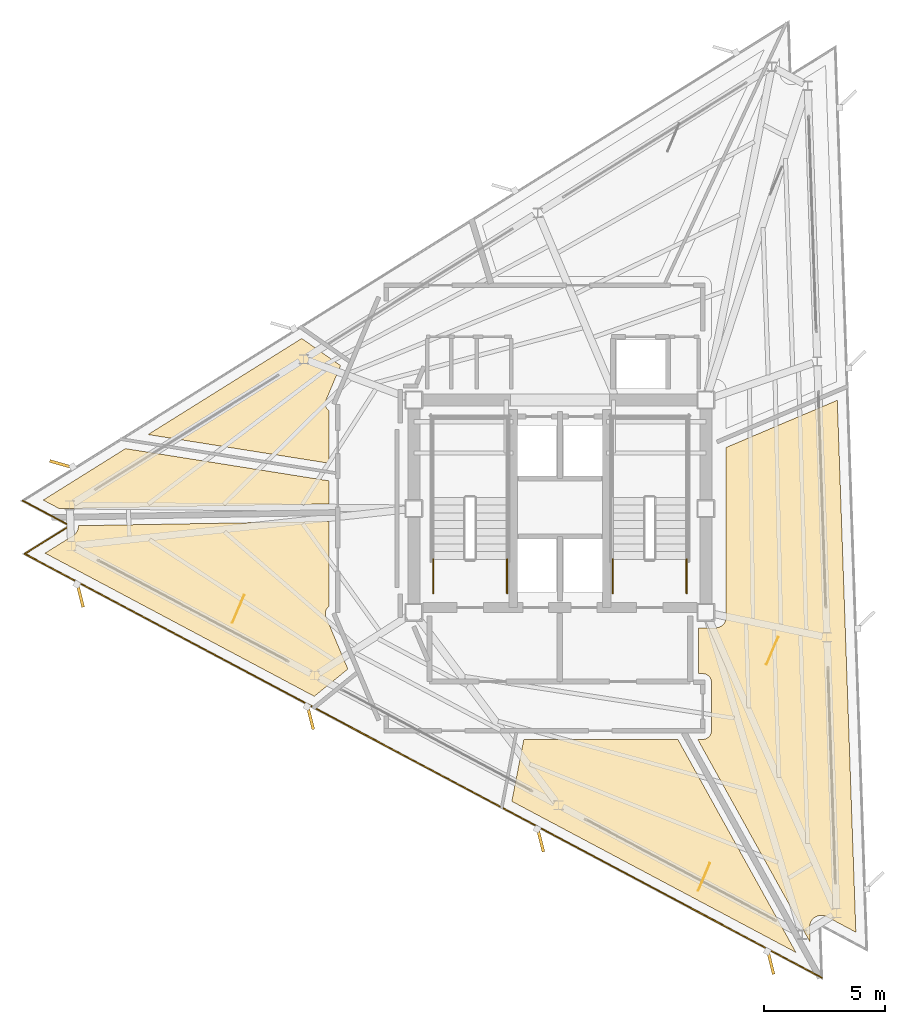
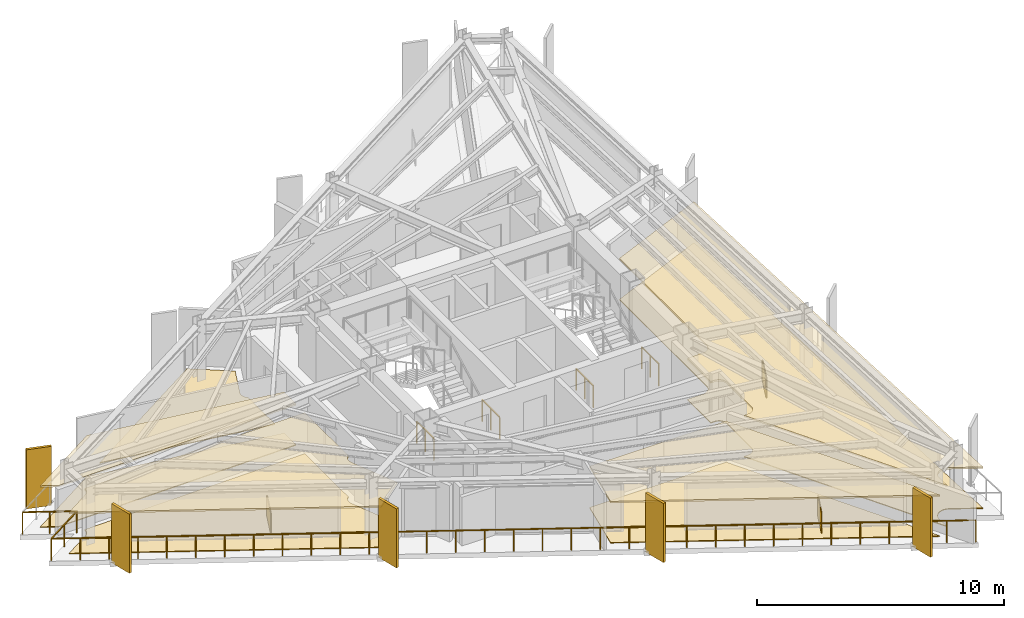
# One storey, part 11 of 13: 12 coverings, 5 railings, 5 shading devices.
"""IFC4 building model written with IfcOpenShell, lengths in metres."""

from ifc_helpers import new_model, si_unit, direction, frame, origin, origin_2d, place, context, subcontext, project, spatial, polyline, rectangle, outline, extrude, material, layer, layer_set, type_object, element, save


model = new_model("IFC4")

# Units and contexts
model_context = context("Model", 3, precision=1e-05, world=origin(), true_north=direction((0.0, 1.0)))
body_context = subcontext(model_context, "Body", "Model", "MODEL_VIEW")
ifc_project = project(units=[si_unit("LENGTHUNIT", "METRE"), si_unit("AREAUNIT", "SQUARE_METRE"), si_unit("VOLUMEUNIT", "CUBIC_METRE"), si_unit("PLANEANGLEUNIT", "RADIAN"), si_unit("MASSUNIT", "GRAM", prefix="KILO")], contexts=[model_context])

# Site, building, storey
site_placement = place(None, origin())
site = spatial("IfcSite", under=ifc_project, at=site_placement, CompositionType="ELEMENT")
building_placement = place(site_placement, origin())
building = spatial("IfcBuilding", under=site, at=building_placement, Name="Rocaltana Carrier Exchange", CompositionType="ELEMENT")
storey_placement = place(building_placement, frame((0.0, 0.0, 199.679931640625)))
storey = spatial("IfcBuildingStorey", under=building, at=storey_placement, Name="L63", CompositionType="ELEMENT", Elevation=199.679931640625)

# Coverings
ifc_material_1 = material(Name="Honed Bogota Sandstone Tile", Category="masonry")
ifc_layer_1 = layer(ifc_material_1, 0.0400390625)
ifc_layer_set_1 = layer_set([ifc_layer_1], Name="Honed Bogota Sandstone Tile")
covering_type_1 = type_object("IfcCoveringType", Name="Honed Stone Lobby Flooring 40", PredefinedType="FLOORING", material=ifc_layer_set_1)
covering_1_placement = place(storey_placement, origin())
element("IfcCovering", 1, at=covering_1_placement, inside=storey, type_object=covering_type_1, Name="L63 Peering Conference Room Finish Floor", PredefinedType="FLOORING", context=body_context, shape_type="SweptSolid", body=[
    extrude(outline(polyline([(-20.17138671875, -1.120361328125), (-20.15966796875, -1.11279296875), (-20.143310546875, -1.101318359375), (-20.121337890625, -1.084228515625), (-20.106201171875, -1.0712890625), (-20.085693359375, -1.052001953125), (-20.072021484375, -1.03759765625), (-20.0537109375, -1.0166015625), (-20.04150390625, -1.000732421875), (-20.025390625, -0.97802734375), (-20.014892578125, -0.961181640625), (-20.001220703125, -0.936767578125), (-19.9921875, -0.9189453125), (-19.98095703125, -0.893310546875), (-19.973876953125, -0.874755859375), (-19.965087890625, -0.848388671875), (-19.9599609375, -0.8291015625), (-19.9541015625, -0.8017578125), (-19.95068359375, -0.781982421875), (-19.947509765625, -0.75439453125), (-19.9462890625, -0.734375), (-19.94580078125, -0.708251953125), (-9.56005859375, -0.52685546875), (-9.56005859375, -4.052001953125), (-9.57177734375, -4.06005859375), (-9.578125, -4.064697265625), (-9.59912109375, -4.082275390625), (-9.60498046875, -4.087646484375), (-9.624267578125, -4.107177734375), (-9.629638671875, -4.113037109375), (-9.64697265625, -4.134521484375), (-9.651611328125, -4.140625), (-9.666748046875, -4.16357421875), (-9.670654296875, -4.17041015625), (-9.68359375, -4.194580078125), (-9.686767578125, -4.201904296875), (-9.697265625, -4.227294921875), (-9.69970703125, -4.234619140625), (-9.70751953125, -4.260986328125), (-9.70947265625, -4.2685546875), (-9.714599609375, -4.295654296875), (-9.7158203125, -4.30322265625), (-9.718505859375, -4.330810546875), (-9.71875, -4.33837890625), (-9.718505859375, -4.365966796875), (-9.71826171875, -4.373779296875), (-9.71533203125, -4.401123046875), (-9.714111328125, -4.408935546875), (-9.70849609375, -4.435791015625), (-9.706787109375, -4.443603515625), (-9.698486328125, -4.4697265625), (-9.69580078125, -4.47705078125), (-9.69091796875, -4.489990234375), (-8.782958984375, -6.649169921875), (-10.17626953125, -7.77734375), (-21.33203125, -1.845703125), (-20.17138671875, -1.120361328125)])), origin(), (0.0, 0.0, 1.0), 0.0400390625),
])
covering_2_placement = place(storey_placement, origin())
element("IfcCovering", 2, at=covering_2_placement, inside=storey, type_object=covering_type_1, Name="L63 Peering Conference Room Finish Floor", PredefinedType="FLOORING", context=body_context, shape_type="SweptSolid", body=[
    extrude(outline(polyline([(-1.990966796875, -12.12939453125), (-1.491455078125, -9.56005859375), (4.8876953125, -9.56005859375), (9.781494140625, -18.388916015625), (-1.990966796875, -12.12939453125)])), origin(), (0.0, 0.0, 1.0), 0.0400390625),
])
covering_3_placement = place(storey_placement, origin())
element("IfcCovering", 3, at=covering_3_placement, inside=storey, type_object=covering_type_1, Name="L63 Optical Switching Laboratory Finish Floor", PredefinedType="FLOORING", context=body_context, shape_type="SweptSolid", body=[
    extrude(outline(polyline([(5.739990234375, -6.840087890625), (5.739990234375, -4.93994140625), (6.449951171875, -4.93994140625), (6.463623046875, -4.939697265625), (6.4794921875, -4.93896484375), (6.5068359375, -4.936279296875), (6.522216796875, -4.933837890625), (6.54931640625, -4.928466796875), (6.564453125, -4.9248046875), (6.5908203125, -4.916748046875), (6.605712890625, -4.91162109375), (6.630859375, -4.90087890625), (6.64501953125, -4.894287109375), (6.66943359375, -4.88134765625), (6.682861328125, -4.873291015625), (6.705810546875, -4.85791015625), (6.71826171875, -4.8486328125), (6.739501953125, -4.8310546875), (6.751220703125, -4.820556640625), (6.7705078125, -4.80126953125), (6.781005859375, -4.78955078125), (6.798583984375, -4.768310546875), (6.807861328125, -4.755615234375), (6.8232421875, -4.73291015625), (6.831298828125, -4.719482421875), (6.84423828125, -4.695068359375), (6.850830078125, -4.680908203125), (6.861572265625, -4.655517578125), (6.86669921875, -4.640869140625), (6.874755859375, -4.614501953125), (6.87841796875, -4.59912109375), (6.8837890625, -4.572265625), (6.88623046875, -4.556884765625), (6.888916015625, -4.529296875), (6.8896484375, -4.513671875), (6.889892578125, -4.5), (6.889892578125, 2.533447265625), (11.494873046875, 4.488037109375), (12.264404296875, -17.55126953125), (11.055908203125, -16.90869140625), (11.04345703125, -16.902587890625), (11.025390625, -16.89404296875), (10.99951171875, -16.883544921875), (10.980712890625, -16.876708984375), (10.9541015625, -16.868896484375), (10.9345703125, -16.8642578125), (10.9072265625, -16.85888671875), (10.887451171875, -16.856201171875), (10.859619140625, -16.853515625), (10.83984375, -16.852783203125), (10.81201171875, -16.85302734375), (10.7919921875, -16.854248046875), (10.76416015625, -16.857421875), (10.744384765625, -16.860595703125), (10.71728515625, -16.8662109375), (10.697998046875, -16.871337890625), (10.67138671875, -16.8798828125), (10.652587890625, -16.886962890625), (10.627197265625, -16.89794921875), (10.609130859375, -16.906982421875), (10.584716796875, -16.92041015625), (10.56787109375, -16.930908203125), (10.544921875, -16.947021484375), (10.529296875, -16.959228515625), (10.508056640625, -16.977294921875), (10.49365234375, -16.990966796875), (10.474365234375, -17.01123046875), (10.461181640625, -17.0263671875), (10.444091796875, -17.04833984375), (10.4326171875, -17.064697265625), (10.41748046875, -17.088134765625), (10.407958984375, -17.105712890625), (10.3955078125, -17.130615234375), (10.38720703125, -17.148681640625), (10.37744140625, -17.1748046875), (10.37109375, -17.19384765625), (10.364013671875, -17.220703125), (10.359619140625, -17.240234375), (10.35498046875, -17.267822265625), (10.352783203125, -17.28759765625), (10.35107421875, -17.3154296875), (10.350830078125, -17.33544921875), (10.350830078125, -17.349365234375), (10.37255859375, -17.97021484375), (5.710693359375, -9.56005859375), (5.919921875, -9.56005859375), (5.93359375, -9.559814453125), (5.941650390625, -9.559326171875), (5.968994140625, -9.556640625), (5.976806640625, -9.555419921875), (6.003662109375, -9.550048828125), (6.01123046875, -9.548095703125), (6.03759765625, -9.540283203125), (6.044921875, -9.53759765625), (6.0703125, -9.527099609375), (6.077392578125, -9.523681640625), (6.101806640625, -9.5107421875), (6.1083984375, -9.506591796875), (6.131103515625, -9.491455078125), (6.137451171875, -9.48681640625), (6.15869140625, -9.46923828125), (6.16455078125, -9.464111328125), (6.18408203125, -9.444580078125), (6.189208984375, -9.438720703125), (6.206787109375, -9.41748046875), (6.21142578125, -9.4111328125), (6.226806640625, -9.388427734375), (6.230712890625, -9.381591796875), (6.24365234375, -9.357421875), (6.2470703125, -9.350341796875), (6.257568359375, -9.324951171875), (6.26025390625, -9.317626953125), (6.268310546875, -9.291259765625), (6.27001953125, -9.28369140625), (6.275390625, -9.256591796875), (6.276611328125, -9.248779296875), (6.279296875, -9.2216796875), (6.27978515625, -9.213623046875), (6.280029296875, -9.199951171875), (6.280029296875, -7.199951171875), (6.27978515625, -7.186279296875), (6.279296875, -7.178466796875), (6.276611328125, -7.151123046875), (6.275390625, -7.143310546875), (6.27001953125, -7.116455078125), (6.268310546875, -7.108642578125), (6.26025390625, -7.08251953125), (6.257568359375, -7.0751953125), (6.2470703125, -7.0498046875), (6.24365234375, -7.04248046875), (6.230712890625, -7.018310546875), (6.226806640625, -7.01171875), (6.21142578125, -6.98876953125), (6.206787109375, -6.982421875), (6.189208984375, -6.961181640625), (6.18408203125, -6.955322265625), (6.16455078125, -6.93603515625), (6.15869140625, -6.9306640625), (6.137451171875, -6.913330078125), (6.131103515625, -6.90869140625), (6.1083984375, -6.893310546875), (6.101806640625, -6.889404296875), (6.077392578125, -6.876220703125), (6.0703125, -6.873046875), (6.044921875, -6.862548828125), (6.03759765625, -6.85986328125), (6.01123046875, -6.851806640625), (6.003662109375, -6.849853515625), (5.976806640625, -6.844482421875), (5.968994140625, -6.843505859375), (5.941650390625, -6.8408203125), (5.93359375, -6.84033203125), (5.919921875, -6.840087890625), (5.739990234375, -6.840087890625)])), origin(), (0.0, 0.0, 1.0), 0.0400390625),
])
covering_4_placement = place(storey_placement, origin())
element("IfcCovering", 4, at=covering_4_placement, inside=storey, type_object=covering_type_1, Name="L63 Incident Briefing Room Finish Floor", PredefinedType="FLOORING", context=body_context, shape_type="SweptSolid", body=[
    extrude(outline(polyline([(-10.69384765625, 7.048583984375), (-9.087890625, 5.923828125), (-9.69091796875, 4.489990234375), (-9.69580078125, 4.47705078125), (-9.698486328125, 4.4697265625), (-9.706787109375, 4.443603515625), (-9.70849609375, 4.435791015625), (-9.714111328125, 4.408935546875), (-9.71533203125, 4.401123046875), (-9.71826171875, 4.373779296875), (-9.718505859375, 4.365966796875), (-9.71875, 4.33837890625), (-9.718505859375, 4.330810546875), (-9.7158203125, 4.30322265625), (-9.714599609375, 4.295654296875), (-9.70947265625, 4.2685546875), (-9.70751953125, 4.260986328125), (-9.69970703125, 4.234619140625), (-9.697265625, 4.227294921875), (-9.686767578125, 4.201904296875), (-9.68359375, 4.194580078125), (-9.670654296875, 4.17041015625), (-9.666748046875, 4.16357421875), (-9.651611328125, 4.140625), (-9.64697265625, 4.134521484375), (-9.629638671875, 4.113037109375), (-9.624267578125, 4.107177734375), (-9.60498046875, 4.087646484375), (-9.59912109375, 4.082275390625), (-9.578125, 4.064697265625), (-9.57177734375, 4.06005859375), (-9.56005859375, 4.052001953125), (-9.56005859375, 1.878662109375), (-17.065185546875, 3.0673828125), (-10.69384765625, 7.048583984375)])), origin(), (0.0, 0.0, 1.0), 0.0400390625),
])
covering_5_placement = place(storey_placement, origin())
element("IfcCovering", 5, at=covering_5_placement, inside=storey, type_object=covering_type_1, Name="L63 Carrier Peering Suite Finish Floor", PredefinedType="FLOORING", context=body_context, shape_type="SweptSolid", body=[
    extrude(outline(polyline([(-21.40869140625, 0.35302734375), (-17.995849609375, 2.48583984375), (-9.56005859375, 1.149658203125), (-9.56005859375, 0.193115234375), (-20.740966796875, -0.001953125), (-21.40869140625, 0.35302734375)])), origin(), (0.0, 0.0, 1.0), 0.0400390625),
])
ifc_material_2 = material(Name="Anodised Aluminium 6063-T6", Category="aluminium")
ifc_layer_2 = layer(ifc_material_2, 0.0849609375)
ifc_layer_set_2 = layer_set([ifc_layer_2], Name="Anodised Aluminium 6063-T6")
covering_type_2 = type_object("IfcCoveringType", Name="Linear Baffle Acoustic Ceiling 85", PredefinedType="CEILING", material=ifc_layer_set_2)
covering_6_placement = place(storey_placement, frame((0.0, 0.0, 1.983154296875)))
element("IfcCovering", 6, at=covering_6_placement, inside=storey, type_object=covering_type_2, Name="L63 Peering Conference Room Acoustic Ceiling", PredefinedType="CEILING", context=body_context, shape_type="SweptSolid", body=[
    extrude(outline(polyline([(-20.17138671875, -1.120361328125), (-20.15966796875, -1.11279296875), (-20.143310546875, -1.101318359375), (-20.121337890625, -1.084228515625), (-20.106201171875, -1.0712890625), (-20.085693359375, -1.052001953125), (-20.072021484375, -1.03759765625), (-20.0537109375, -1.0166015625), (-20.04150390625, -1.000732421875), (-20.025390625, -0.97802734375), (-20.014892578125, -0.961181640625), (-20.001220703125, -0.936767578125), (-19.9921875, -0.9189453125), (-19.98095703125, -0.893310546875), (-19.973876953125, -0.874755859375), (-19.965087890625, -0.848388671875), (-19.9599609375, -0.8291015625), (-19.9541015625, -0.8017578125), (-19.95068359375, -0.781982421875), (-19.947509765625, -0.75439453125), (-19.9462890625, -0.734375), (-19.94580078125, -0.708251953125), (-9.56005859375, -0.52685546875), (-9.56005859375, -4.052001953125), (-9.57177734375, -4.06005859375), (-9.578125, -4.064697265625), (-9.59912109375, -4.082275390625), (-9.60498046875, -4.087646484375), (-9.624267578125, -4.107177734375), (-9.629638671875, -4.113037109375), (-9.64697265625, -4.134521484375), (-9.651611328125, -4.140625), (-9.666748046875, -4.16357421875), (-9.670654296875, -4.17041015625), (-9.68359375, -4.194580078125), (-9.686767578125, -4.201904296875), (-9.697265625, -4.227294921875), (-9.69970703125, -4.234619140625), (-9.70751953125, -4.260986328125), (-9.70947265625, -4.2685546875), (-9.714599609375, -4.295654296875), (-9.7158203125, -4.30322265625), (-9.718505859375, -4.330810546875), (-9.71875, -4.33837890625), (-9.718505859375, -4.365966796875), (-9.71826171875, -4.373779296875), (-9.71533203125, -4.401123046875), (-9.714111328125, -4.408935546875), (-9.70849609375, -4.435791015625), (-9.706787109375, -4.443603515625), (-9.698486328125, -4.4697265625), (-9.69580078125, -4.47705078125), (-9.69091796875, -4.489990234375), (-8.782958984375, -6.649169921875), (-10.17626953125, -7.77734375), (-21.33203125, -1.845703125), (-20.17138671875, -1.120361328125)])), origin(), (0.0, 0.0, 1.0), 0.0849609375),
])
covering_7_placement = place(storey_placement, frame((0.0, 0.0, 1.983154296875)))
element("IfcCovering", 7, at=covering_7_placement, inside=storey, type_object=covering_type_2, Name="L63 Peering Conference Room Acoustic Ceiling", PredefinedType="CEILING", context=body_context, shape_type="SweptSolid", body=[
    extrude(outline(polyline([(-1.990966796875, -12.12939453125), (-1.491455078125, -9.56005859375), (4.8876953125, -9.56005859375), (9.781494140625, -18.388916015625), (-1.990966796875, -12.12939453125)])), origin(), (0.0, 0.0, 1.0), 0.0849609375),
])
covering_8_placement = place(storey_placement, frame((0.0, 0.0, 1.983154296875)))
element("IfcCovering", 8, at=covering_8_placement, inside=storey, type_object=covering_type_2, Name="L63 Optical Switching Laboratory Acoustic Ceiling", PredefinedType="CEILING", context=body_context, shape_type="SweptSolid", body=[
    extrude(outline(polyline([(5.739990234375, -6.840087890625), (5.739990234375, -4.93994140625), (6.449951171875, -4.93994140625), (6.463623046875, -4.939697265625), (6.4794921875, -4.93896484375), (6.5068359375, -4.936279296875), (6.522216796875, -4.933837890625), (6.54931640625, -4.928466796875), (6.564453125, -4.9248046875), (6.5908203125, -4.916748046875), (6.605712890625, -4.91162109375), (6.630859375, -4.90087890625), (6.64501953125, -4.894287109375), (6.66943359375, -4.88134765625), (6.682861328125, -4.873291015625), (6.705810546875, -4.85791015625), (6.71826171875, -4.8486328125), (6.739501953125, -4.8310546875), (6.751220703125, -4.820556640625), (6.7705078125, -4.80126953125), (6.781005859375, -4.78955078125), (6.798583984375, -4.768310546875), (6.807861328125, -4.755615234375), (6.8232421875, -4.73291015625), (6.831298828125, -4.719482421875), (6.84423828125, -4.695068359375), (6.850830078125, -4.680908203125), (6.861572265625, -4.655517578125), (6.86669921875, -4.640869140625), (6.874755859375, -4.614501953125), (6.87841796875, -4.59912109375), (6.8837890625, -4.572265625), (6.88623046875, -4.556884765625), (6.888916015625, -4.529296875), (6.8896484375, -4.513671875), (6.889892578125, -4.5), (6.889892578125, 2.533447265625), (11.494873046875, 4.488037109375), (12.264404296875, -17.55126953125), (11.055908203125, -16.90869140625), (11.04345703125, -16.902587890625), (11.025390625, -16.89404296875), (10.99951171875, -16.883544921875), (10.980712890625, -16.876708984375), (10.9541015625, -16.868896484375), (10.9345703125, -16.8642578125), (10.9072265625, -16.85888671875), (10.887451171875, -16.856201171875), (10.859619140625, -16.853515625), (10.83984375, -16.852783203125), (10.81201171875, -16.85302734375), (10.7919921875, -16.854248046875), (10.76416015625, -16.857421875), (10.744384765625, -16.860595703125), (10.71728515625, -16.8662109375), (10.697998046875, -16.871337890625), (10.67138671875, -16.8798828125), (10.652587890625, -16.886962890625), (10.627197265625, -16.89794921875), (10.609130859375, -16.906982421875), (10.584716796875, -16.92041015625), (10.56787109375, -16.930908203125), (10.544921875, -16.947021484375), (10.529296875, -16.959228515625), (10.508056640625, -16.977294921875), (10.49365234375, -16.990966796875), (10.474365234375, -17.01123046875), (10.461181640625, -17.0263671875), (10.444091796875, -17.04833984375), (10.4326171875, -17.064697265625), (10.41748046875, -17.088134765625), (10.407958984375, -17.105712890625), (10.3955078125, -17.130615234375), (10.38720703125, -17.148681640625), (10.37744140625, -17.1748046875), (10.37109375, -17.19384765625), (10.364013671875, -17.220703125), (10.359619140625, -17.240234375), (10.35498046875, -17.267822265625), (10.352783203125, -17.28759765625), (10.35107421875, -17.3154296875), (10.350830078125, -17.33544921875), (10.350830078125, -17.349365234375), (10.37255859375, -17.97021484375), (5.710693359375, -9.56005859375), (5.919921875, -9.56005859375), (5.93359375, -9.559814453125), (5.941650390625, -9.559326171875), (5.968994140625, -9.556640625), (5.976806640625, -9.555419921875), (6.003662109375, -9.550048828125), (6.01123046875, -9.548095703125), (6.03759765625, -9.540283203125), (6.044921875, -9.53759765625), (6.0703125, -9.527099609375), (6.077392578125, -9.523681640625), (6.101806640625, -9.5107421875), (6.1083984375, -9.506591796875), (6.131103515625, -9.491455078125), (6.137451171875, -9.48681640625), (6.15869140625, -9.46923828125), (6.16455078125, -9.464111328125), (6.18408203125, -9.444580078125), (6.189208984375, -9.438720703125), (6.206787109375, -9.41748046875), (6.21142578125, -9.4111328125), (6.226806640625, -9.388427734375), (6.230712890625, -9.381591796875), (6.24365234375, -9.357421875), (6.2470703125, -9.350341796875), (6.257568359375, -9.324951171875), (6.26025390625, -9.317626953125), (6.268310546875, -9.291259765625), (6.27001953125, -9.28369140625), (6.275390625, -9.256591796875), (6.276611328125, -9.248779296875), (6.279296875, -9.2216796875), (6.27978515625, -9.213623046875), (6.280029296875, -9.199951171875), (6.280029296875, -7.199951171875), (6.27978515625, -7.186279296875), (6.279296875, -7.178466796875), (6.276611328125, -7.151123046875), (6.275390625, -7.143310546875), (6.27001953125, -7.116455078125), (6.268310546875, -7.108642578125), (6.26025390625, -7.08251953125), (6.257568359375, -7.0751953125), (6.2470703125, -7.0498046875), (6.24365234375, -7.04248046875), (6.230712890625, -7.018310546875), (6.226806640625, -7.01171875), (6.21142578125, -6.98876953125), (6.206787109375, -6.982421875), (6.189208984375, -6.961181640625), (6.18408203125, -6.955322265625), (6.16455078125, -6.93603515625), (6.15869140625, -6.9306640625), (6.137451171875, -6.913330078125), (6.131103515625, -6.90869140625), (6.1083984375, -6.893310546875), (6.101806640625, -6.889404296875), (6.077392578125, -6.876220703125), (6.0703125, -6.873046875), (6.044921875, -6.862548828125), (6.03759765625, -6.85986328125), (6.01123046875, -6.851806640625), (6.003662109375, -6.849853515625), (5.976806640625, -6.844482421875), (5.968994140625, -6.843505859375), (5.941650390625, -6.8408203125), (5.93359375, -6.84033203125), (5.919921875, -6.840087890625), (5.739990234375, -6.840087890625)])), origin(), (0.0, 0.0, 1.0), 0.0849609375),
])
covering_9_placement = place(storey_placement, frame((0.0, 0.0, 1.983154296875)))
element("IfcCovering", 9, at=covering_9_placement, inside=storey, type_object=covering_type_2, Name="L63 Carrier Peering Suite Acoustic Ceiling", PredefinedType="CEILING", context=body_context, shape_type="SweptSolid", body=[
    extrude(outline(polyline([(-21.40869140625, 0.35302734375), (-17.995849609375, 2.48583984375), (-9.56005859375, 1.149658203125), (-9.56005859375, 0.193115234375), (-20.740966796875, -0.001953125), (-21.40869140625, 0.35302734375)])), origin(), (0.0, 0.0, 1.0), 0.0849609375),
])

# Railings
ifc_material_3 = material(Name="Powder-Coated Aluminium 6063-T6", Category="aluminium")
ifc_layer_3 = layer(ifc_material_3, 0.048095703125)
ifc_layer_set_3 = layer_set([ifc_layer_3], Name="Powder-Coated Aluminium 6063-T6")
railing_type_1 = type_object("IfcRailingType", Name="Stair Well Guardrail 1100", PredefinedType="GUARDRAIL", material=ifc_layer_set_3)
for number, where, name in (
    (10, (-2.18994140625, -3.5, 0.0), "L63 ST-1 stair guard 8"),
    (11, (-5.25, -3.5, 0.0), "L63 ST-1 stair guard 9"),
    (12, (5.25, -3.5, 0.0), "L63 ST-2 stair guard 8"),
    (13, (2.18994140625, -3.5, 0.0), "L63 ST-2 stair guard 9"),
):
    element("IfcRailing", number, at=place(storey_placement, frame(where)), inside=storey, type_object=railing_type_1, Name=name, PredefinedType="GUARDRAIL", context=body_context, shape_type="SweptSolid", body=[
        extrude(rectangle(XDim=0.048095703125, YDim=0.048095703125, at=origin_2d()), frame((0.0, 0.0, 1.076171875), z_axis=(0.0, 1.0, 0.0), x_axis=(-1.0, 0.0, 0.0)), (0.0, 0.0, 1.0), 1.39990234375),
        extrude(rectangle(XDim=0.0419921875, YDim=0.0419921875, at=origin_2d()), origin(), (0.0, 0.0, 1.0), 1.052001953125),
        extrude(rectangle(XDim=0.0419921875, YDim=0.0419921875, at=origin_2d()), frame((0.0, 0.699951171875, 0.0)), (0.0, 0.0, 1.0), 1.052001953125),
        extrude(rectangle(XDim=0.0419921875, YDim=0.0419921875, at=origin_2d()), frame((0.0, 1.39990234375, 0.0)), (0.0, 0.0, 1.0), 1.052001953125),
    ])

# Coverings
ifc_material_4 = material(Name="Honed Piedra Muneca Sandstone", Category="masonry")
ifc_layer_4 = layer(ifc_material_4, 0.034912109375)
ifc_layer_set_4 = layer_set([ifc_layer_4], Name="Honed Piedra Muneca Sandstone")
covering_type_3 = type_object("IfcCoveringType", Name="Stone Facade Cladding 35", PredefinedType="CLADDING", material=ifc_layer_set_4)
for number, where, z_axis, x_axis, name in (
    (14, (-13.32666015625, -4.152099609375, 0.0), (0.0, 0.0, 1.0), (0.390731128489, 0.920504853452, 0.0), "L63 Stone Facade Cladding Panel 1"),
    (15, (5.970947265625, -15.25927734375, 0.0), (0.0, 0.0, 1.0), (0.390731128489, 0.920504853452, 0.0), "L63 Stone Facade Cladding Panel 3"),
    (16, (8.798583984375, -5.889892578125, 0.0), (0.0, 0.0, 1.0), (0.390731128489, 0.920504853452, 0.0), "L63 Stone Facade Cladding Panel 4"),
):
    element("IfcCovering", number, at=place(storey_placement, frame(where, z_axis=z_axis, x_axis=x_axis)), inside=storey, type_object=covering_type_3, Name=name, PredefinedType="CLADDING", context=body_context, shape_type="SweptSolid", body=[
        extrude(rectangle(XDim=1.25, YDim=0.034912109375, at=origin_2d()), origin(), (0.0, 0.0, 1.0), 1.050048828125),
    ])

# Shading devices
ifc_material_5 = material(Name="Honed Bogota Sandstone & Concrete C45/55", Category="masonry")
ifc_layer_5 = layer(ifc_material_5, 0.1201171875)
ifc_layer_set_5 = layer_set([ifc_layer_5], Name="Honed Bogota Sandstone & Concrete C45/55")
shading_device_type = type_object("IfcShadingDeviceType", Name="Upper Sandstone Shading Fin 1050x120", PredefinedType="USERDEFINED", material=ifc_layer_set_5)
for number, where, z_axis, x_axis, name in (
    (17, (-20.62939453125, 1.8310546875, -0.119873046875), (0.0, 0.0, 1.0), (-0.961261695938, 0.275637355817, 0.0), "L63 Sandstone Vertical Fin F2-04"),
    (18, (-19.87841796875, -3.5703125, -0.119873046875), (0.0, 0.0, 1.0), (0.2419218956, -0.970295726276, 0.0), "L63 Sandstone Vertical Fin F3-01"),
    (19, (-10.342529296875, -8.640625, -0.119873046875), (0.0, 0.0, 1.0), (0.2419218956, -0.970295726276, 0.0), "L63 Sandstone Vertical Fin F3-02"),
    (20, (-0.806884765625, -13.7109375, -0.119873046875), (0.0, 0.0, 1.0), (0.2419218956, -0.970295726276, 0.0), "L63 Sandstone Vertical Fin F3-03"),
    (21, (8.72900390625, -18.78125, -0.119873046875), (0.0, 0.0, 1.0), (0.2419218956, -0.970295726276, 0.0), "L63 Sandstone Vertical Fin F3-04"),
):
    element("IfcShadingDevice", number, at=place(storey_placement, frame(where, z_axis=z_axis, x_axis=x_axis)), inside=storey, type_object=shading_device_type, Name=name, ObjectType="FIN", PredefinedType="USERDEFINED", context=body_context, shape_type="SweptSolid", body=[
        extrude(rectangle(XDim=1.050048828125, YDim=0.1201171875, at=origin_2d()), origin(), (0.0, 0.0, 1.0), 2.91796875),
    ])

# Railing
ifc_material_6 = material(Name="Powder-Coated Aluminium 6063-T6", Category="aluminium")
ifc_layer_6 = layer(ifc_material_6, 0.06005859375)
ifc_layer_set_6 = layer_set([ifc_layer_6], Name="Powder-Coated Aluminium 6063-T6")
railing_type_2 = type_object("IfcRailingType", Name="Wind-Floor & Terrace Perimeter Guardrail 1100", PredefinedType="GUARDRAIL", material=ifc_layer_set_6)
railing_placement = place(storey_placement, frame((10.84375, -19.429443359375, 0.0)))
element("IfcRailing", 22, at=railing_placement, inside=storey, type_object=railing_type_2, Name="L63 Perimeter Balcony Guardrail 1", PredefinedType="GUARDRAIL", context=body_context, shape_type="SweptSolid", body=[
    extrude(rectangle(XDim=0.048095703125, YDim=0.048095703125, at=origin_2d()), frame((0.0, 0.0, 1.076171875), z_axis=(-0.882949211739, 0.469468518103, 0.0), x_axis=(-0.469468518103, -0.882949211739, 0.0)), (0.0, 0.0, 1.0), 37.39208984375),
    extrude(rectangle(XDim=0.048095703125, YDim=0.048095703125, at=origin_2d()), frame((-33.015380859375, 17.554443359375, 1.076171875), z_axis=(0.848010771987, 0.52997899071, 0.0), x_axis=(-0.52997899071, 0.848010771987, 0.0)), (0.0, 0.0, 1.0), 2.2001953125),
    extrude(rectangle(XDim=0.048095703125, YDim=0.048095703125, at=origin_2d()), frame((-31.149658203125, 18.720458984375, 1.076171875), z_axis=(-0.882960484464, 0.4694473164, 0.0), x_axis=(-0.4694473164, -0.882960484464, 0.0)), (0.0, 0.0, 1.0), 2.199951171875),
    extrude(rectangle(XDim=0.0419921875, YDim=0.0419921875, at=origin_2d()), origin(), (0.0, 0.0, 1.0), 1.052001953125),
    extrude(rectangle(XDim=0.0419921875, YDim=0.0419921875, at=origin_2d()), frame((-1.03173828125, 0.548583984375, 0.0)), (0.0, 0.0, 1.0), 1.052001953125),
    extrude(rectangle(XDim=0.0419921875, YDim=0.0419921875, at=origin_2d()), frame((-2.0634765625, 1.09716796875, 0.0)), (0.0, 0.0, 1.0), 1.052001953125),
    extrude(rectangle(XDim=0.0419921875, YDim=0.0419921875, at=origin_2d()), frame((-3.09521484375, 1.645751953125, 0.0)), (0.0, 0.0, 1.0), 1.052001953125),
    extrude(rectangle(XDim=0.0419921875, YDim=0.0419921875, at=origin_2d()), frame((-4.126953125, 2.1943359375, 0.0)), (0.0, 0.0, 1.0), 1.052001953125),
    extrude(rectangle(XDim=0.0419921875, YDim=0.0419921875, at=origin_2d()), frame((-5.15869140625, 2.742919921875, 0.0)), (0.0, 0.0, 1.0), 1.052001953125),
    extrude(rectangle(XDim=0.0419921875, YDim=0.0419921875, at=origin_2d()), frame((-6.1904296875, 3.29150390625, 0.0)), (0.0, 0.0, 1.0), 1.052001953125),
    extrude(rectangle(XDim=0.0419921875, YDim=0.0419921875, at=origin_2d()), frame((-7.22216796875, 3.840087890625, 0.0)), (0.0, 0.0, 1.0), 1.052001953125),
    extrude(rectangle(XDim=0.0419921875, YDim=0.0419921875, at=origin_2d()), frame((-8.25390625, 4.388671875, 0.0)), (0.0, 0.0, 1.0), 1.052001953125),
    extrude(rectangle(XDim=0.0419921875, YDim=0.0419921875, at=origin_2d()), frame((-9.28564453125, 4.937255859375, 0.0)), (0.0, 0.0, 1.0), 1.052001953125),
    extrude(rectangle(XDim=0.0419921875, YDim=0.0419921875, at=origin_2d()), frame((-10.3173828125, 5.48583984375, 0.0)), (0.0, 0.0, 1.0), 1.052001953125),
    extrude(rectangle(XDim=0.0419921875, YDim=0.0419921875, at=origin_2d()), frame((-11.34912109375, 6.034423828125, 0.0)), (0.0, 0.0, 1.0), 1.052001953125),
    extrude(rectangle(XDim=0.0419921875, YDim=0.0419921875, at=origin_2d()), frame((-12.380859375, 6.5830078125, 0.0)), (0.0, 0.0, 1.0), 1.052001953125),
    extrude(rectangle(XDim=0.0419921875, YDim=0.0419921875, at=origin_2d()), frame((-13.41259765625, 7.131591796875, 0.0)), (0.0, 0.0, 1.0), 1.052001953125),
    extrude(rectangle(XDim=0.0419921875, YDim=0.0419921875, at=origin_2d()), frame((-14.4443359375, 7.68017578125, 0.0)), (0.0, 0.0, 1.0), 1.052001953125),
    extrude(rectangle(XDim=0.0419921875, YDim=0.0419921875, at=origin_2d()), frame((-15.47607421875, 8.228759765625, 0.0)), (0.0, 0.0, 1.0), 1.052001953125),
    extrude(rectangle(XDim=0.0419921875, YDim=0.0419921875, at=origin_2d()), frame((-16.5078125, 8.77734375, 0.0)), (0.0, 0.0, 1.0), 1.052001953125),
    extrude(rectangle(XDim=0.0419921875, YDim=0.0419921875, at=origin_2d()), frame((-17.539306640625, 9.32568359375, 0.0)), (0.0, 0.0, 1.0), 1.052001953125),
    extrude(rectangle(XDim=0.0419921875, YDim=0.0419921875, at=origin_2d()), frame((-18.571044921875, 9.874267578125, 0.0)), (0.0, 0.0, 1.0), 1.052001953125),
    extrude(rectangle(XDim=0.0419921875, YDim=0.0419921875, at=origin_2d()), frame((-19.602783203125, 10.4228515625, 0.0)), (0.0, 0.0, 1.0), 1.052001953125),
    extrude(rectangle(XDim=0.0419921875, YDim=0.0419921875, at=origin_2d()), frame((-20.634521484375, 10.971435546875, 0.0)), (0.0, 0.0, 1.0), 1.052001953125),
    extrude(rectangle(XDim=0.0419921875, YDim=0.0419921875, at=origin_2d()), frame((-21.666259765625, 11.52001953125, 0.0)), (0.0, 0.0, 1.0), 1.052001953125),
    extrude(rectangle(XDim=0.0419921875, YDim=0.0419921875, at=origin_2d()), frame((-22.697998046875, 12.068603515625, 0.0)), (0.0, 0.0, 1.0), 1.052001953125),
    extrude(rectangle(XDim=0.0419921875, YDim=0.0419921875, at=origin_2d()), frame((-23.729736328125, 12.6171875, 0.0)), (0.0, 0.0, 1.0), 1.052001953125),
    extrude(rectangle(XDim=0.0419921875, YDim=0.0419921875, at=origin_2d()), frame((-24.761474609375, 13.165771484375, 0.0)), (0.0, 0.0, 1.0), 1.052001953125),
    extrude(rectangle(XDim=0.0419921875, YDim=0.0419921875, at=origin_2d()), frame((-25.793212890625, 13.71435546875, 0.0)), (0.0, 0.0, 1.0), 1.052001953125),
    extrude(rectangle(XDim=0.0419921875, YDim=0.0419921875, at=origin_2d()), frame((-26.824951171875, 14.262939453125, 0.0)), (0.0, 0.0, 1.0), 1.052001953125),
    extrude(rectangle(XDim=0.0419921875, YDim=0.0419921875, at=origin_2d()), frame((-27.856689453125, 14.8115234375, 0.0)), (0.0, 0.0, 1.0), 1.052001953125),
    extrude(rectangle(XDim=0.0419921875, YDim=0.0419921875, at=origin_2d()), frame((-28.888427734375, 15.360107421875, 0.0)), (0.0, 0.0, 1.0), 1.052001953125),
    extrude(rectangle(XDim=0.0419921875, YDim=0.0419921875, at=origin_2d()), frame((-29.920166015625, 15.90869140625, 0.0)), (0.0, 0.0, 1.0), 1.052001953125),
    extrude(rectangle(XDim=0.0419921875, YDim=0.0419921875, at=origin_2d()), frame((-30.951904296875, 16.457275390625, 0.0)), (0.0, 0.0, 1.0), 1.052001953125),
    extrude(rectangle(XDim=0.0419921875, YDim=0.0419921875, at=origin_2d()), frame((-31.983642578125, 17.005859375, 0.0)), (0.0, 0.0, 1.0), 1.052001953125),
    extrude(rectangle(XDim=0.0419921875, YDim=0.0419921875, at=origin_2d()), frame((-33.015380859375, 17.554443359375, 0.0)), (0.0, 0.0, 1.0), 1.052001953125),
    extrude(rectangle(XDim=0.0419921875, YDim=0.0419921875, at=origin_2d()), frame((-32.08251953125, 18.137451171875, 0.0)), (0.0, 0.0, 1.0), 1.052001953125),
    extrude(rectangle(XDim=0.0419921875, YDim=0.0419921875, at=origin_2d()), frame((-31.149658203125, 18.720458984375, 0.0)), (0.0, 0.0, 1.0), 1.052001953125),
    extrude(rectangle(XDim=0.0419921875, YDim=0.0419921875, at=origin_2d()), frame((-32.120849609375, 19.23681640625, 0.0)), (0.0, 0.0, 1.0), 1.052001953125),
    extrude(rectangle(XDim=0.0419921875, YDim=0.0419921875, at=origin_2d()), frame((-33.092041015625, 19.753173828125, 0.0)), (0.0, 0.0, 1.0), 1.052001953125),
])

save(model, "model.ifc")
